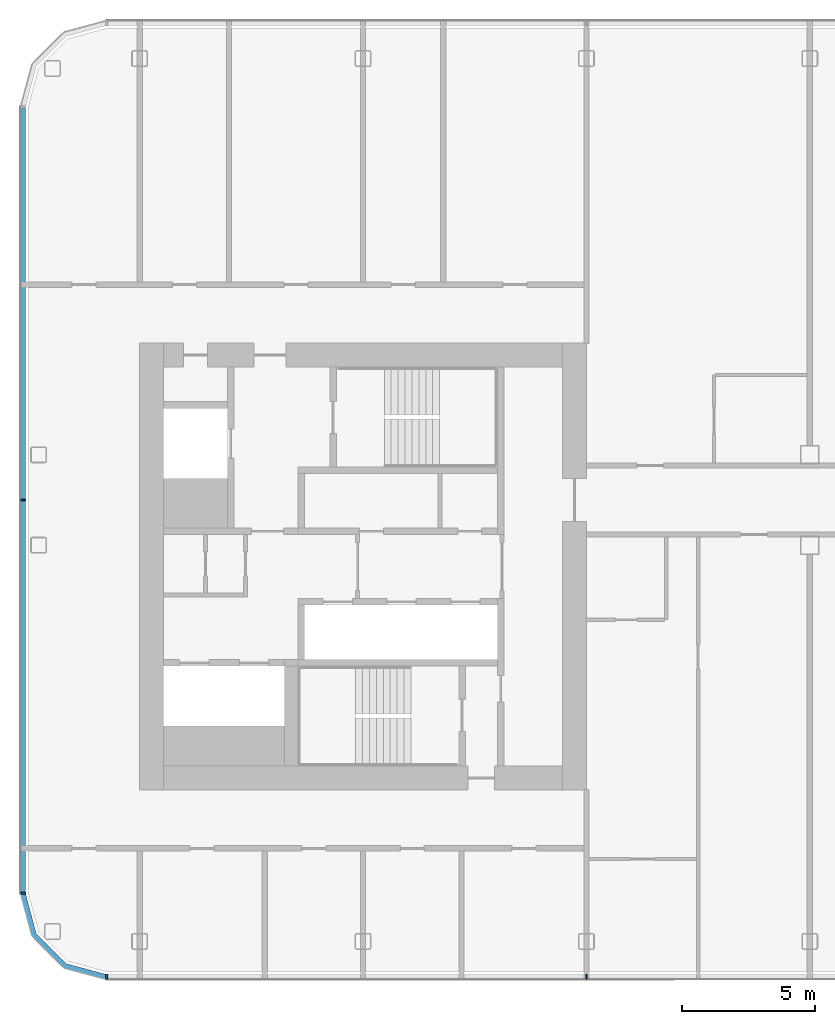
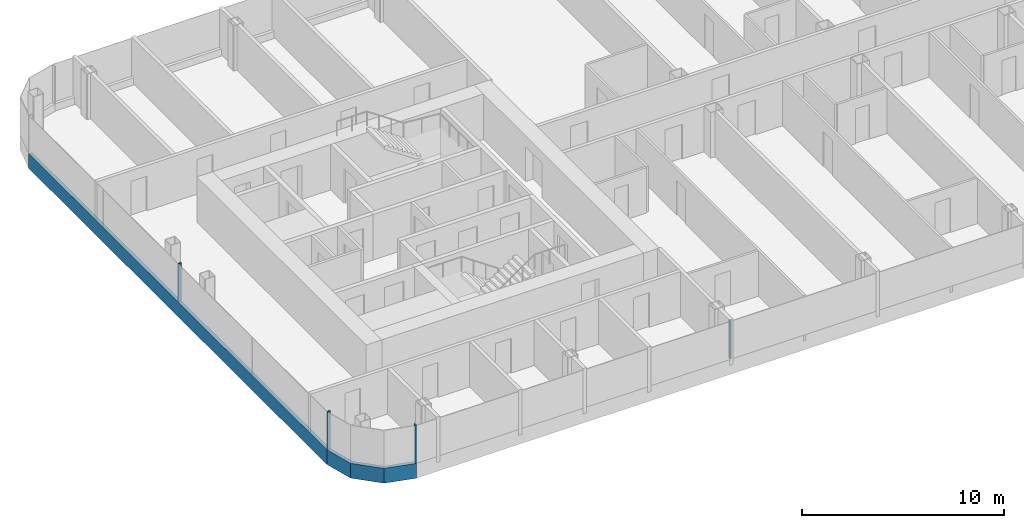
# One storey, part 2 of 26: 6 members, 3 elements without a shape of their own.
"""IFC4 building model written with IfcOpenShell, lengths in metres."""

from ifc_helpers import new_model, si_unit, direction, frame, origin, origin_2d, place, context, subcontext, project, spatial, polyline, rectangle, outline, extrude, material, layer, layer_set, material_profile, profile_set, type_object, element, aggregate, save


model = new_model("IFC4")

# Units and contexts
model_context = context("Model", 3, precision=1e-05, world=origin(), true_north=direction((0.0, 1.0)))
body_context = subcontext(model_context, "Body", "Model", "MODEL_VIEW")
ifc_project = project(units=[si_unit("LENGTHUNIT", "METRE"), si_unit("AREAUNIT", "SQUARE_METRE"), si_unit("VOLUMEUNIT", "CUBIC_METRE"), si_unit("PLANEANGLEUNIT", "RADIAN"), si_unit("MASSUNIT", "GRAM", prefix="KILO")], contexts=[model_context])

# Site, building, storey
site_placement = place(None, origin())
site = spatial("IfcSite", under=ifc_project, at=site_placement, CompositionType="ELEMENT")
building_placement = place(site_placement, origin())
building = spatial("IfcBuilding", under=site, at=building_placement, Name="Hakoniwa Tower and Hamabe Station Hall", CompositionType="ELEMENT")
storey_placement = place(building_placement, frame((0.0, 0.0, 215.39990234375)))
storey = spatial("IfcBuildingStorey", under=building, at=storey_placement, Name="L61", CompositionType="ELEMENT", Elevation=215.39990234375)

# Curtain wall, member
ifc_material_1 = material(Name="Dark low-e laminated glass", Category="glass")
ifc_layer = layer(ifc_material_1, 0.199951171875)
ifc_layer_set = layer_set([ifc_layer], Name="CW-1 UNITISED GUEST")
curtain_wall_type = type_object("IfcCurtainWallType", Name="CW-1 UNITISED GUEST", PredefinedType="NOTDEFINED", material=ifc_layer_set)
curtain_wall_1_placement = place(storey_placement, origin())
curtain_wall_1 = element("IfcCurtainWall", 1, at=curtain_wall_1_placement, inside=storey, type_object=curtain_wall_type, Name="CW-1 curtain wall", PredefinedType="NOTDEFINED")
ifc_material_2 = material(Name="Aluminium 6063-T5 black anodised", Category="aluminium")
ifc_material_profile_1 = material_profile(ifc_material_2, rectangle(XDim=0.199951171875, YDim=0.89990234375, at=origin_2d()), Name="CW SLAB-EDGE BAND 900X200")
ifc_profile_set_1 = profile_set([ifc_material_profile_1], Name="Aluminium 6063-T5 black anodised")
member_type_1 = type_object("IfcMemberType", Name="CW SLAB-EDGE BAND 900X200", PredefinedType="USERDEFINED", material=ifc_profile_set_1)
member_1_placement = place(storey_placement, frame((-38.0, 17.28955078125, -0.099853515625), z_axis=(0.0, -1.0, 0.0), x_axis=(1.0, 0.0, 0.0)))
member_1 = element("IfcMember", 2, at=member_1_placement, type_object=member_type_1, Name="CW-1 transom", ObjectType="TRANSOM", PredefinedType="USERDEFINED", context=body_context, shape_type="SweptSolid", body=[
    extrude(rectangle(XDim=0.199951171875, YDim=0.89990234375, at=origin_2d()), origin(), (0.0, 0.0, 1.0), 29.5791015625),
])

curtain_wall_2_placement = place(storey_placement, origin())
curtain_wall_2 = element("IfcCurtainWall", 3, at=curtain_wall_2_placement, inside=storey, type_object=curtain_wall_type, Name="CW-1 curtain wall", PredefinedType="NOTDEFINED")
member_2_placement = place(storey_placement, frame((0.0, 0.0, -0.5498046875)))
member_2 = element("IfcMember", 4, at=member_2_placement, type_object=member_type_1, Name="CW-1 transom", ObjectType="TRANSOM", PredefinedType="USERDEFINED", context=body_context, shape_type="SweptSolid", body=[
    extrude(outline(polyline([(-38.10009765625, -12.28955078125), (-37.6669921875, -13.9052734375), (-36.455322265625, -15.116943359375), (-34.839599609375, -15.550048828125), (-34.787841796875, -15.35693359375), (-36.351806640625, -14.937744140625), (-37.48779296875, -13.8017578125), (-37.90673828125, -12.23779296875), (-38.10009765625, -12.28955078125)])), origin(), (0.0, 0.0, 1.0), 0.89990234375),
])
aggregate(curtain_wall_2, [member_2])

# Member
ifc_material_3 = material(Name="Aluminium 6063-T5 black anodised", Category="aluminium")
ifc_material_profile_2 = material_profile(ifc_material_3, rectangle(XDim=0.06005859375, YDim=0.179931640625, at=origin_2d()), Name="CW-1 MULLION 60X180")
ifc_profile_set_2 = profile_set([ifc_material_profile_2], Name="Aluminium 6063-T5 black anodised")
member_type_2 = type_object("IfcMemberType", Name="CW-1 MULLION 60X180", PredefinedType="MULLION", material=ifc_profile_set_2)
member_3_placement = place(storey_placement, frame((-37.98193359375, 2.5, 0.35009765625), z_axis=(0.0, 0.0, 1.0), x_axis=(0.0, -1.0, 0.0)))
member_3 = element("IfcMember", 5, at=member_3_placement, type_object=member_type_2, Name="CW-1 mullion", PredefinedType="MULLION", context=body_context, shape_type="SweptSolid", body=[
    extrude(rectangle(XDim=0.06005859375, YDim=0.179931640625, at=origin_2d()), origin(), (0.0, 0.0, 1.0), 2.300048828125),
])

member_4_placement = place(storey_placement, frame((-37.98193359375, -12.28955078125, 0.35009765625), z_axis=(0.0, 0.0, 1.0), x_axis=(0.0, -1.0, 0.0)))
member_4 = element("IfcMember", 6, at=member_4_placement, type_object=member_type_2, Name="CW-1 mullion", PredefinedType="MULLION", context=body_context, shape_type="SweptSolid", body=[
    extrude(rectangle(XDim=0.06005859375, YDim=0.179931640625, at=origin_2d()), origin(), (0.0, 0.0, 1.0), 2.300048828125),
])

aggregate(curtain_wall_1, [member_3, member_4, member_1])

# Curtain wall, members
curtain_wall_3_placement = place(storey_placement, origin())
curtain_wall_3 = element("IfcCurtainWall", 7, at=curtain_wall_3_placement, inside=storey, type_object=curtain_wall_type, Name="CW-1 curtain wall", PredefinedType="NOTDEFINED")
member_5_placement = place(storey_placement, frame((-34.839599609375, -15.431884765625, 0.35009765625), z_axis=(0.0, 0.0, 1.0), x_axis=(1.0, 0.0, 0.0)))
member_5 = element("IfcMember", 8, at=member_5_placement, type_object=member_type_2, Name="CW-1 mullion", PredefinedType="MULLION", context=body_context, shape_type="SweptSolid", body=[
    extrude(rectangle(XDim=0.06005859375, YDim=0.179931640625, at=origin_2d()), origin(), (0.0, 0.0, 1.0), 2.300048828125),
])
member_6_placement = place(storey_placement, frame((-16.800048828125, -15.431884765625, 0.35009765625), z_axis=(0.0, 0.0, 1.0), x_axis=(1.0, 0.0, 0.0)))
member_6 = element("IfcMember", 9, at=member_6_placement, type_object=member_type_2, Name="CW-1 mullion", PredefinedType="MULLION", context=body_context, shape_type="SweptSolid", body=[
    extrude(rectangle(XDim=0.06005859375, YDim=0.179931640625, at=origin_2d()), origin(), (0.0, 0.0, 1.0), 2.300048828125),
])
aggregate(curtain_wall_3, [member_5, member_6])

save(model, "model.ifc")
